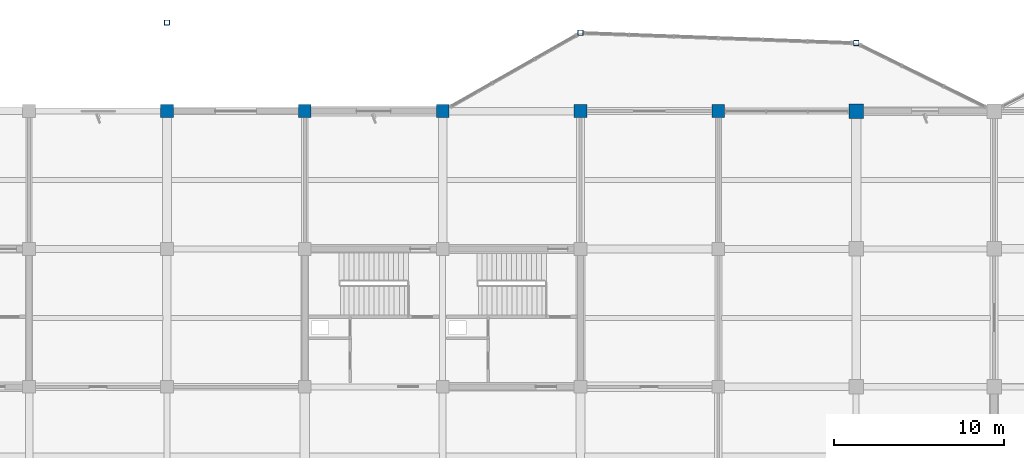
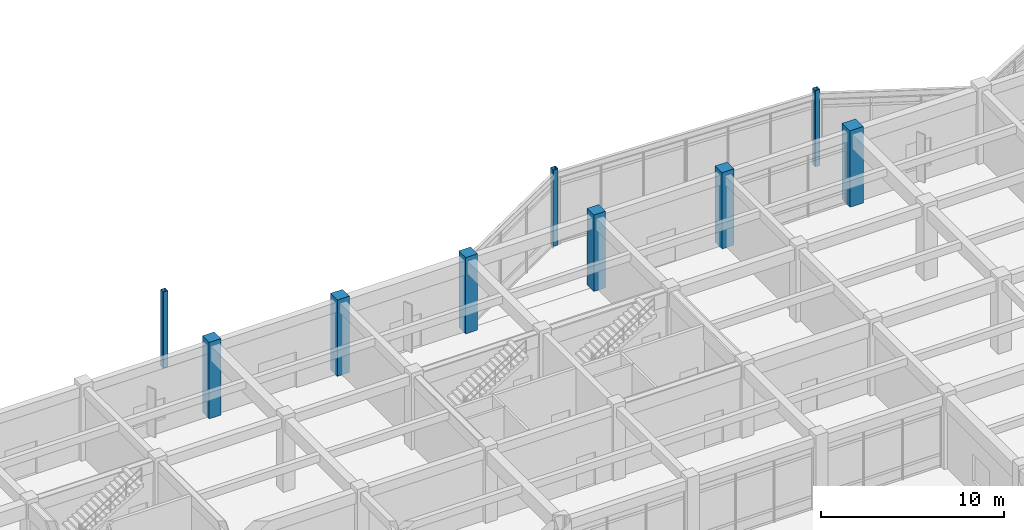
# One storey, part 20 of 99: 9 columns.
"""IFC4 building model written with IfcOpenShell, lengths in metres."""

from ifc_helpers import new_model, si_unit, direction, frame, origin, origin_2d, place, context, subcontext, project, spatial, rectangle, hollow_rectangle, extrude, material, material_profile, profile_set, type_object, element, save


model = new_model("IFC4")

# Units and contexts
model_context = context("Model", 3, precision=1e-05, world=origin(), true_north=direction((0.0, 1.0)))
body_context = subcontext(model_context, "Body", "Model", "MODEL_VIEW")
ifc_project = project(units=[si_unit("LENGTHUNIT", "METRE"), si_unit("AREAUNIT", "SQUARE_METRE"), si_unit("VOLUMEUNIT", "CUBIC_METRE"), si_unit("PLANEANGLEUNIT", "RADIAN"), si_unit("MASSUNIT", "GRAM", prefix="KILO")], contexts=[model_context])

# Site, building, storey
site_placement = place(None, origin())
site = spatial("IfcSite", under=ifc_project, at=site_placement, CompositionType="ELEMENT")
building_placement = place(site_placement, origin())
building = spatial("IfcBuilding", under=site, at=building_placement, Name="Vaudrelin Polytechnic", CompositionType="ELEMENT")
storey_placement = place(building_placement, origin())
storey = spatial("IfcBuildingStorey", under=building, at=storey_placement, Name="L00", CompositionType="ELEMENT", Elevation=0.0)

# Columns
ifc_material_1 = material(Name="Steel CSA G40.21 350WT", Category="steel")
ifc_material_profile_1 = material_profile(ifc_material_1, hollow_rectangle(XDim=0.304931640625, YDim=0.304931640625, WallThickness=0.0126953125, InnerFilletRadius=0.0126953125, OuterFilletRadius=0.025390625, at=origin_2d()), Name="HSS305x305x12.7")
ifc_profile_set_1 = profile_set([ifc_material_profile_1], Name="Steel CSA G40.21 350WT")
column_type_1 = type_object("IfcColumnType", Name="COL-C-HSS305", PredefinedType="COLUMN", material=ifc_profile_set_1)
for number, where, z_axis, x_axis, name in (
    (1, (97.199951171875, 126.699951171875, 0.0), (0.0, 0.0, 1.0), (1.0, 0.0, 0.0), "Deconstructivist column L00 N_OR2_2"),
    (2, (121.5, 126.10009765625, 0.0), (0.0, 0.0, 1.0), (1.0, 0.0, 0.0), "Deconstructivist column L00 N_OR3_1"),
    (3, (137.699951171875, 125.5, 0.0), (0.0, 0.0, 1.0), (1.0, 0.0, 0.0), "Deconstructivist column L00 N_OR3_2"),
):
    element("IfcColumn", number, at=place(storey_placement, frame(where, z_axis=z_axis, x_axis=x_axis)), inside=storey, type_object=column_type_1, Name=name, PredefinedType="COLUMN", context=body_context, shape_type="SweptSolid", body=[
        extrude(hollow_rectangle(XDim=0.304931640625, YDim=0.304931640625, WallThickness=0.0126953125, InnerFilletRadius=0.0126953125, OuterFilletRadius=0.025390625, at=origin_2d()), origin(), (0.0, 0.0, 1.0), 5.10009765625),
    ])
ifc_material_2 = material(Name="Concrete 50 MPa", Category="concrete")
ifc_material_profile_2 = material_profile(ifc_material_2, rectangle(XDim=0.75, YDim=0.75, at=origin_2d()), Name="RC750x750")
ifc_profile_set_2 = profile_set([ifc_material_profile_2], Name="Concrete 50 MPa")
column_type_2 = type_object("IfcColumnType", Name="COL-C-RC750", PredefinedType="COLUMN", material=ifc_profile_set_2)
for number, where, z_axis, x_axis, name in (
    (4, (97.199951171875, 121.5, 0.0), (0.0, 0.0, 1.0), (1.0, 0.0, 0.0), "Column L00 13-16"),
    (5, (105.300048828125, 121.5, 0.0), (0.0, 0.0, 1.0), (1.0, 0.0, 0.0), "Column L00 14-16"),
    (6, (113.39990234375, 121.5, 0.0), (0.0, 0.0, 1.0), (1.0, 0.0, 0.0), "Column L00 15-16"),
    (7, (121.5, 121.5, 0.0), (0.0, 0.0, 1.0), (1.0, 0.0, 0.0), "Column L00 16-16"),
    (8, (129.60009765625, 121.5, 0.0), (0.0, 0.0, 1.0), (1.0, 0.0, 0.0), "Column L00 17-16"),
):
    element("IfcColumn", number, at=place(storey_placement, frame(where, z_axis=z_axis, x_axis=x_axis)), inside=storey, type_object=column_type_2, Name=name, PredefinedType="COLUMN", context=body_context, shape_type="SweptSolid", body=[
        extrude(rectangle(XDim=0.75, YDim=0.75, at=origin_2d()), origin(), (0.0, 0.0, 1.0), 5.10009765625),
    ])
ifc_material_profile_3 = material_profile(ifc_material_2, rectangle(XDim=0.85009765625, YDim=0.85009765625, at=origin_2d()), Name="RC850x850")
ifc_profile_set_3 = profile_set([ifc_material_profile_3], Name="Concrete 50 MPa")
column_type_3 = type_object("IfcColumnType", Name="COL-C-RC850", PredefinedType="COLUMN", material=ifc_profile_set_3)
column_placement = place(storey_placement, frame((137.699951171875, 121.5, 0.0), z_axis=(0.0, 0.0, 1.0), x_axis=(1.0, 0.0, 0.0)))
element("IfcColumn", 9, at=column_placement, inside=storey, type_object=column_type_3, Name="Column L00 18-16", PredefinedType="COLUMN", context=body_context, shape_type="SweptSolid", body=[
    extrude(rectangle(XDim=0.85009765625, YDim=0.85009765625, at=origin_2d()), origin(), (0.0, 0.0, 1.0), 5.10009765625),
])

save(model, "model.ifc")
